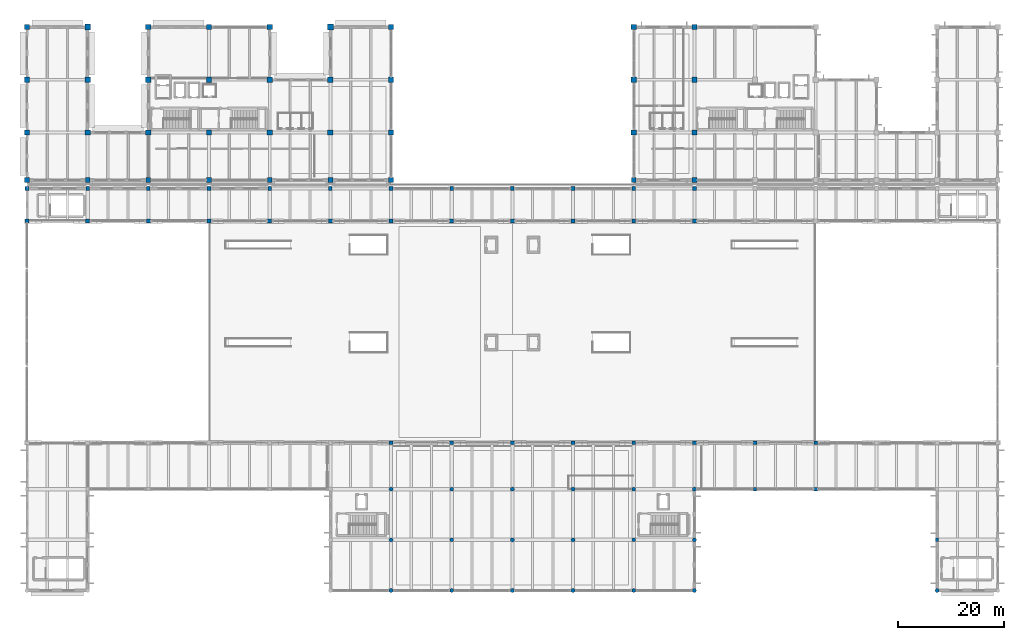
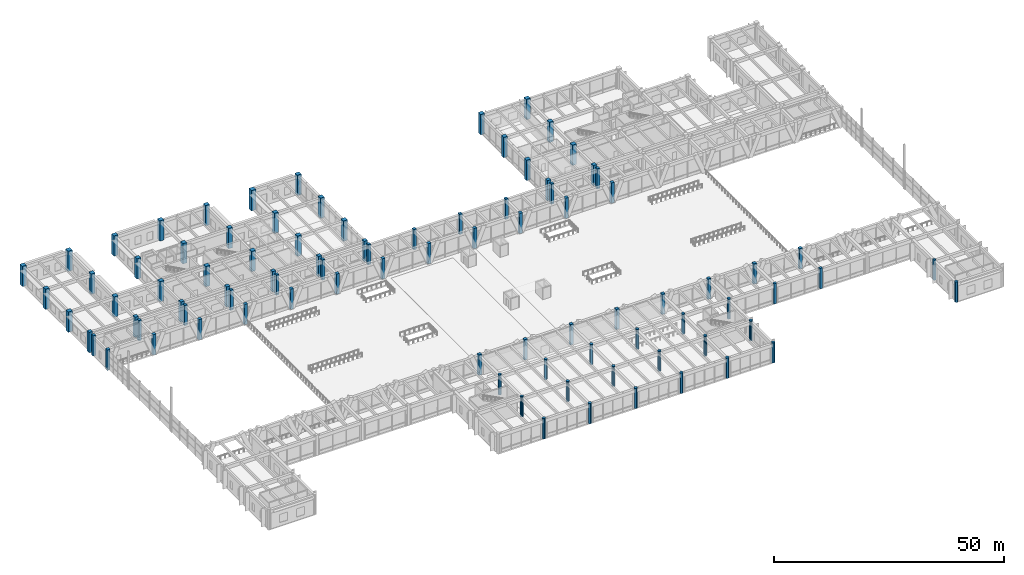
# One storey, part 3 of 148: 90 columns.
"""IFC4 building model written with IfcOpenShell, lengths in metres."""

from ifc_helpers import new_model, si_unit, direction, frame, origin, origin_2d, place, context, subcontext, project, spatial, rectangle, circle, extrude, material, material_profile, profile_set, type_object, element, save


model = new_model("IFC4")

# Units and contexts
model_context = context("Model", 3, precision=1e-05, world=origin(), true_north=direction((0.0, 1.0)))
body_context = subcontext(model_context, "Body", "Model", "MODEL_VIEW")
ifc_project = project(units=[si_unit("LENGTHUNIT", "METRE"), si_unit("AREAUNIT", "SQUARE_METRE"), si_unit("VOLUMEUNIT", "CUBIC_METRE"), si_unit("PLANEANGLEUNIT", "RADIAN"), si_unit("MASSUNIT", "GRAM", prefix="KILO")], contexts=[model_context])

# Site, building, storey
site_placement = place(None, origin())
site = spatial("IfcSite", under=ifc_project, at=site_placement, CompositionType="ELEMENT")
building_placement = place(site_placement, origin())
building = spatial("IfcBuilding", under=site, at=building_placement, Name="Ologun Quay Terminus", CompositionType="ELEMENT")
storey_placement = place(building_placement, frame((0.0, 0.0, 8.39990234375)))
storey = spatial("IfcBuildingStorey", under=building, at=storey_placement, Name="L02", CompositionType="ELEMENT", Elevation=8.39990234375)

# Columns
ifc_material_1 = material(Name="Concrete C45/55", Category="concrete")
ifc_material_profile_1 = material_profile(ifc_material_1, rectangle(XDim=1.10009765625, YDim=1.10009765625, at=origin_2d()), Name="RC 1100x1100")
ifc_profile_set_1 = profile_set([ifc_material_profile_1], Name="Concrete C45/55")
column_type_1 = type_object("IfcColumnType", Name="Courtyard Wing Lower Column 1100x1100", PredefinedType="COLUMN", material=ifc_profile_set_1)
for number, where, z_axis, x_axis, name in (
    (1, (11.5, 114.800048828125, 0.0), (0.0, 0.0, 1.0), (1.0, 0.0, 0.0), "C1 Column 2/K L02"),
    (2, (57.5, 114.800048828125, 0.0), (0.0, 0.0, 1.0), (1.0, 0.0, 0.0), "C1 Column 6/K L02"),
):
    element("IfcColumn", number, at=place(storey_placement, frame(where, z_axis=z_axis, x_axis=x_axis)), inside=storey, type_object=column_type_1, Name=name, PredefinedType="COLUMN", context=body_context, shape_type="SweptSolid", body=[
        extrude(rectangle(XDim=1.10009765625, YDim=1.10009765625, at=origin_2d()), origin(), (0.0, 0.0, 1.0), 5.400146484375),
    ])
ifc_material_2 = material(Name="Concrete C45/55", Category="concrete")
ifc_material_profile_2 = material_profile(ifc_material_2, rectangle(XDim=0.89990234375, YDim=0.89990234375, at=origin_2d()), Name="RC 900x900")
ifc_profile_set_2 = profile_set([ifc_material_profile_2], Name="Concrete C45/55")
column_type_2 = type_object("IfcColumnType", Name="Courtyard Wing Mid Column 900x900", PredefinedType="COLUMN", material=ifc_profile_set_2)
for number, where, z_axis, x_axis, name in (
    (3, (0.0, 85.800048828125, 0.0), (0.0, 0.0, 1.0), (1.0, 0.0, 0.0), "C3 Column 1/G2 L02"),
    (4, (11.5, 85.800048828125, 0.0), (0.0, 0.0, 1.0), (1.0, 0.0, 0.0), "C3 Column 2/G2 L02"),
    (5, (23.0, 85.800048828125, 0.0), (0.0, 0.0, 1.0), (1.0, 0.0, 0.0), "C3 Column 3/G2 L02"),
    (6, (34.5, 85.800048828125, 0.0), (0.0, 0.0, 1.0), (1.0, 0.0, 0.0), "C3 Column 4/G2 L02"),
    (7, (46.0, 85.800048828125, 0.0), (0.0, 0.0, 1.0), (1.0, 0.0, 0.0), "C3 Column 5/G2 L02"),
    (8, (57.5, 85.800048828125, 0.0), (0.0, 0.0, 1.0), (1.0, 0.0, 0.0), "C3 Column 6/G2 L02"),
    (9, (69.0, 85.800048828125, 0.0), (0.0, 0.0, 1.0), (1.0, 0.0, 0.0), "C3 Column 7/G2 L02"),
    (10, (115.0, 85.800048828125, 0.0), (0.0, 0.0, 1.0), (1.0, 0.0, 0.0), "C3 Column 11/G2 L02"),
    (11, (126.5, 85.800048828125, 0.0), (0.0, 0.0, 1.0), (1.0, 0.0, 0.0), "C3 Column 12/G2 L02"),
):
    element("IfcColumn", number, at=place(storey_placement, frame(where, z_axis=z_axis, x_axis=x_axis)), inside=storey, type_object=column_type_2, Name=name, PredefinedType="COLUMN", context=body_context, shape_type="SweptSolid", body=[
        extrude(rectangle(XDim=0.89990234375, YDim=0.89990234375, at=origin_2d()), origin(), (0.0, 0.0, 1.0), 5.400146484375),
    ])
ifc_material_3 = material(Name="Concrete C45/55", Category="concrete")
ifc_material_profile_3 = material_profile(ifc_material_3, rectangle(XDim=1.0, YDim=1.0, at=origin_2d()), Name="RC 1000x1000")
ifc_profile_set_3 = profile_set([ifc_material_profile_3], Name="Concrete C45/55")
column_type_3 = type_object("IfcColumnType", Name="Courtyard Wing Mid-Lower Column 1000x1000", PredefinedType="COLUMN", material=ifc_profile_set_3)
for number, where, z_axis, x_axis, name in (
    (12, (0.0, 94.800048828125, 0.0), (0.0, 0.0, 1.0), (1.0, 0.0, 0.0), "C2 Column 1/H L02"),
    (13, (0.0, 104.800048828125, 0.0), (0.0, 0.0, 1.0), (1.0, 0.0, 0.0), "C2 Column 1/J L02"),
    (14, (0.0, 114.800048828125, 0.0), (0.0, 0.0, 1.0), (1.0, 0.0, 0.0), "C2 Column 1/K L02"),
    (15, (11.5, 94.800048828125, 0.0), (0.0, 0.0, 1.0), (1.0, 0.0, 0.0), "C2 Column 2/H L02"),
    (16, (11.5, 104.800048828125, 0.0), (0.0, 0.0, 1.0), (1.0, 0.0, 0.0), "C2 Column 2/J L02"),
    (17, (23.0, 94.800048828125, 0.0), (0.0, 0.0, 1.0), (1.0, 0.0, 0.0), "C2 Column 3/H L02"),
    (18, (23.0, 104.800048828125, 0.0), (0.0, 0.0, 1.0), (1.0, 0.0, 0.0), "C2 Column 3/J L02"),
    (19, (23.0, 114.800048828125, 0.0), (0.0, 0.0, 1.0), (1.0, 0.0, 0.0), "C2 Column 3/K L02"),
    (20, (34.5, 94.800048828125, 0.0), (0.0, 0.0, 1.0), (1.0, 0.0, 0.0), "C2 Column 4/H L02"),
    (21, (34.5, 104.800048828125, 0.0), (0.0, 0.0, 1.0), (1.0, 0.0, 0.0), "C2 Column 4/J L02"),
    (22, (34.5, 114.800048828125, 0.0), (0.0, 0.0, 1.0), (1.0, 0.0, 0.0), "C2 Column 4/K L02"),
    (23, (46.0, 94.800048828125, 0.0), (0.0, 0.0, 1.0), (1.0, 0.0, 0.0), "C2 Column 5/H L02"),
    (24, (46.0, 104.800048828125, 0.0), (0.0, 0.0, 1.0), (1.0, 0.0, 0.0), "C2 Column 5/J L02"),
    (25, (46.0, 114.800048828125, 0.0), (0.0, 0.0, 1.0), (1.0, 0.0, 0.0), "C2 Column 5/K L02"),
    (26, (57.5, 94.800048828125, 0.0), (0.0, 0.0, 1.0), (1.0, 0.0, 0.0), "C2 Column 6/H L02"),
    (27, (57.5, 104.800048828125, 0.0), (0.0, 0.0, 1.0), (1.0, 0.0, 0.0), "C2 Column 6/J L02"),
    (28, (69.0, 94.800048828125, 0.0), (0.0, 0.0, 1.0), (1.0, 0.0, 0.0), "C2 Column 7/H L02"),
    (29, (69.0, 104.800048828125, 0.0), (0.0, 0.0, 1.0), (1.0, 0.0, 0.0), "C2 Column 7/J L02"),
    (30, (69.0, 114.800048828125, 0.0), (0.0, 0.0, 1.0), (1.0, 0.0, 0.0), "C2 Column 7/K L02"),
    (31, (115.0, 94.800048828125, 0.0), (0.0, 0.0, 1.0), (1.0, 0.0, 0.0), "C2 Column 11/H L02"),
    (32, (115.0, 104.800048828125, 0.0), (0.0, 0.0, 1.0), (1.0, 0.0, 0.0), "C2 Column 11/J L02"),
    (33, (115.0, 114.800048828125, 0.0), (0.0, 0.0, 1.0), (1.0, 0.0, 0.0), "C2 Column 11/K L02"),
    (34, (126.5, 94.800048828125, 0.0), (0.0, 0.0, 1.0), (1.0, 0.0, 0.0), "C2 Column 12/H L02"),
    (35, (126.5, 104.800048828125, 0.0), (0.0, 0.0, 1.0), (1.0, 0.0, 0.0), "C2 Column 12/J L02"),
    (36, (126.5, 114.800048828125, 0.0), (0.0, 0.0, 1.0), (1.0, 0.0, 0.0), "C2 Column 12/K L02"),
):
    element("IfcColumn", number, at=place(storey_placement, frame(where, z_axis=z_axis, x_axis=x_axis)), inside=storey, type_object=column_type_3, Name=name, PredefinedType="COLUMN", context=body_context, shape_type="SweptSolid", body=[
        extrude(rectangle(XDim=1.0, YDim=1.0, at=origin_2d()), origin(), (0.0, 0.0, 1.0), 5.400146484375),
    ])
ifc_material_4 = material(Name="Concrete C40/50", Category="concrete")
ifc_material_profile_4 = material_profile(ifc_material_4, rectangle(XDim=0.60009765625, YDim=0.60009765625, at=origin_2d()), Name="RC 600x600")
ifc_profile_set_4 = profile_set([ifc_material_profile_4], Name="Concrete C40/50")
column_type_4 = type_object("IfcColumnType", Name="Podium Retail Column 600x600", PredefinedType="COLUMN", material=ifc_profile_set_4)
for number, where, z_axis, x_axis, name in (
    (37, (138.0, 27.199951171875, 0.0), (0.0, 0.0, 1.0), (1.0, 0.0, 0.0), "C7 Column 13/D L02"),
    (38, (149.5, 27.199951171875, 0.0), (0.0, 0.0, 1.0), (1.0, 0.0, 0.0), "C7 Column 14/D L02"),
    (39, (172.5, 17.60009765625, 0.0), (0.0, 0.0, 1.0), (1.0, 0.0, 0.0), "C7 Column 16/C L02"),
):
    element("IfcColumn", number, at=place(storey_placement, frame(where, z_axis=z_axis, x_axis=x_axis)), inside=storey, type_object=column_type_4, Name=name, PredefinedType="COLUMN", context=body_context, shape_type="SweptSolid", body=[
        extrude(rectangle(XDim=0.60009765625, YDim=0.60009765625, at=origin_2d()), origin(), (0.0, 0.0, 1.0), 5.400146484375),
    ])
ifc_material_5 = material(Name="Concrete C40/50", Category="concrete")
ifc_material_profile_5 = material_profile(ifc_material_5, circle(Radius=0.375, at=origin_2d()), Name="RC D750")
ifc_profile_set_5 = profile_set([ifc_material_profile_5], Name="Concrete C40/50")
column_type_5 = type_object("IfcColumnType", Name="Promenade Colonnade Circular Column D750", PredefinedType="COLUMN", material=ifc_profile_set_5)
for number, where, z_axis, x_axis, name in (
    (40, (69.0, 8.0, 0.0), (0.0, 0.0, 1.0), (1.0, 0.0, 0.0), "C10 Column 7/B L02"),
    (41, (69.0, 17.60009765625, 0.0), (0.0, 0.0, 1.0), (1.0, 0.0, 0.0), "C10 Column 7/C L02"),
    (42, (69.0, 27.199951171875, 0.0), (0.0, 0.0, 1.0), (1.0, 0.0, 0.0), "C10 Column 7/D L02"),
    (43, (80.5, 8.0, 0.0), (0.0, 0.0, 1.0), (1.0, 0.0, 0.0), "C10 Column 8/B L02"),
    (44, (80.5, 17.60009765625, 0.0), (0.0, 0.0, 1.0), (1.0, 0.0, 0.0), "C10 Column 8/C L02"),
    (45, (80.5, 27.199951171875, 0.0), (0.0, 0.0, 1.0), (1.0, 0.0, 0.0), "C10 Column 8/D L02"),
    (46, (92.0, 8.0, 0.0), (0.0, 0.0, 1.0), (1.0, 0.0, 0.0), "C10 Column 9/B L02"),
    (47, (92.0, 17.60009765625, 0.0), (0.0, 0.0, 1.0), (1.0, 0.0, 0.0), "C10 Column 9/C L02"),
    (48, (92.0, 27.199951171875, 0.0), (0.0, 0.0, 1.0), (1.0, 0.0, 0.0), "C10 Column 9/D L02"),
    (49, (103.5, 8.0, 0.0), (0.0, 0.0, 1.0), (1.0, 0.0, 0.0), "C10 Column 10/B L02"),
    (50, (103.5, 17.60009765625, 0.0), (0.0, 0.0, 1.0), (1.0, 0.0, 0.0), "C10 Column 10/C L02"),
    (51, (103.5, 27.199951171875, 0.0), (0.0, 0.0, 1.0), (1.0, 0.0, 0.0), "C10 Column 10/D L02"),
    (52, (115.0, 8.0, 0.0), (0.0, 0.0, 1.0), (1.0, 0.0, 0.0), "C10 Column 11/B L02"),
    (53, (115.0, 17.60009765625, 0.0), (0.0, 0.0, 1.0), (1.0, 0.0, 0.0), "C10 Column 11/C L02"),
    (54, (115.0, 27.199951171875, 0.0), (0.0, 0.0, 1.0), (1.0, 0.0, 0.0), "C10 Column 11/D L02"),
    (55, (126.5, 8.0, 0.0), (0.0, 0.0, 1.0), (1.0, 0.0, 0.0), "C10 Column 12/B L02"),
    (56, (126.5, 17.60009765625, 0.0), (0.0, 0.0, 1.0), (1.0, 0.0, 0.0), "C10 Column 12/C L02"),
    (57, (126.5, 27.199951171875, 0.0), (0.0, 0.0, 1.0), (1.0, 0.0, 0.0), "C10 Column 12/D L02"),
    (58, (172.5, 8.0, 0.0), (0.0, 0.0, 1.0), (1.0, 0.0, 0.0), "C10 Column 16/B L02"),
):
    element("IfcColumn", number, at=place(storey_placement, frame(where, z_axis=z_axis, x_axis=x_axis)), inside=storey, type_object=column_type_5, Name=name, PredefinedType="COLUMN", context=body_context, shape_type="SweptSolid", body=[
        extrude(circle(Radius=0.375, at=origin_2d()), origin(), (0.0, 0.0, 1.0), 5.400146484375),
    ])
ifc_material_6 = material(Name="Concrete C45/55", Category="concrete")
ifc_material_profile_6 = material_profile(ifc_material_6, rectangle(XDim=0.75, YDim=0.75, at=origin_2d()), Name="RC 750x750")
ifc_profile_set_6 = profile_set([ifc_material_profile_6], Name="Concrete C45/55")
column_type_6 = type_object("IfcColumnType", Name="Station Arch Pier Stem 750x750", PredefinedType="COLUMN", material=ifc_profile_set_6)
for number, where, z_axis, x_axis, name in (
    (59, (0.0, 78.0, 0.0), (0.0, 0.0, 1.0), (1.0, 0.0, 0.0), "C5 Column 1/F L02"),
    (60, (11.5, 78.0, 0.0), (0.0, 0.0, 1.0), (1.0, 0.0, 0.0), "C5 Column 2/F L02"),
    (61, (23.0, 78.0, 0.0), (0.0, 0.0, 1.0), (1.0, 0.0, 0.0), "C5 Column 3/F L02"),
    (62, (34.5, 78.0, 0.0), (0.0, 0.0, 1.0), (1.0, 0.0, 0.0), "C5 Column 4/F L02"),
    (63, (46.0, 78.0, 0.0), (0.0, 0.0, 1.0), (1.0, 0.0, 0.0), "C5 Column 5/F L02"),
    (64, (57.5, 78.0, 0.0), (0.0, 0.0, 1.0), (1.0, 0.0, 0.0), "C5 Column 6/F L02"),
    (65, (69.0, 36.0, 0.0), (0.0, 0.0, 1.0), (1.0, 0.0, 0.0), "C5 Column 7/E L02"),
    (66, (69.0, 78.0, 0.0), (0.0, 0.0, 1.0), (1.0, 0.0, 0.0), "C5 Column 7/F L02"),
    (67, (80.5, 36.0, 0.0), (0.0, 0.0, 1.0), (1.0, 0.0, 0.0), "C5 Column 8/E L02"),
    (68, (80.5, 78.0, 0.0), (0.0, 0.0, 1.0), (1.0, 0.0, 0.0), "C5 Column 8/F L02"),
    (69, (92.0, 36.0, 0.0), (0.0, 0.0, 1.0), (1.0, 0.0, 0.0), "C5 Column 9/E L02"),
    (70, (92.0, 78.0, 0.0), (0.0, 0.0, 1.0), (1.0, 0.0, 0.0), "C5 Column 9/F L02"),
    (71, (103.5, 36.0, 0.0), (0.0, 0.0, 1.0), (1.0, 0.0, 0.0), "C5 Column 10/E L02"),
    (72, (103.5, 78.0, 0.0), (0.0, 0.0, 1.0), (1.0, 0.0, 0.0), "C5 Column 10/F L02"),
    (73, (115.0, 36.0, 0.0), (0.0, 0.0, 1.0), (1.0, 0.0, 0.0), "C5 Column 11/E L02"),
    (74, (115.0, 78.0, 0.0), (0.0, 0.0, 1.0), (1.0, 0.0, 0.0), "C5 Column 11/F L02"),
    (75, (126.5, 36.0, 0.0), (0.0, 0.0, 1.0), (1.0, 0.0, 0.0), "C5 Column 12/E L02"),
    (76, (126.5, 78.0, 0.0), (0.0, 0.0, 1.0), (1.0, 0.0, 0.0), "C5 Column 12/F L02"),
    (77, (138.0, 36.0, 0.0), (0.0, 0.0, 1.0), (1.0, 0.0, 0.0), "C5 Column 13/E L02"),
    (78, (149.5, 36.0, 0.0), (0.0, 0.0, 1.0), (1.0, 0.0, 0.0), "C5 Column 14/E L02"),
):
    element("IfcColumn", number, at=place(storey_placement, frame(where, z_axis=z_axis, x_axis=x_axis)), inside=storey, type_object=column_type_6, Name=name, PredefinedType="COLUMN", context=body_context, shape_type="SweptSolid", body=[
        extrude(rectangle(XDim=0.75, YDim=0.75, at=origin_2d()), origin(), (0.0, 0.0, 1.0), 5.400146484375),
    ])
ifc_material_7 = material(Name="Concrete C40/50", Category="concrete")
ifc_material_profile_7 = material_profile(ifc_material_7, rectangle(XDim=0.699951171875, YDim=0.699951171875, at=origin_2d()), Name="RC 700x700")
ifc_profile_set_7 = profile_set([ifc_material_profile_7], Name="Concrete C40/50")
column_type_7 = type_object("IfcColumnType", Name="Station Concourse Column 700x700", PredefinedType="COLUMN", material=ifc_profile_set_7)
for number, where, z_axis, x_axis, name in (
    (79, (0.0, 84.199951171875, 0.0), (0.0, 0.0, 1.0), (1.0, 0.0, 0.0), "C6 Column 1/G1 L02"),
    (80, (11.5, 84.199951171875, 0.0), (0.0, 0.0, 1.0), (1.0, 0.0, 0.0), "C6 Column 2/G1 L02"),
    (81, (23.0, 84.199951171875, 0.0), (0.0, 0.0, 1.0), (1.0, 0.0, 0.0), "C6 Column 3/G1 L02"),
    (82, (34.5, 84.199951171875, 0.0), (0.0, 0.0, 1.0), (1.0, 0.0, 0.0), "C6 Column 4/G1 L02"),
    (83, (46.0, 84.199951171875, 0.0), (0.0, 0.0, 1.0), (1.0, 0.0, 0.0), "C6 Column 5/G1 L02"),
    (84, (57.5, 84.199951171875, 0.0), (0.0, 0.0, 1.0), (1.0, 0.0, 0.0), "C6 Column 6/G1 L02"),
    (85, (69.0, 84.199951171875, 0.0), (0.0, 0.0, 1.0), (1.0, 0.0, 0.0), "C6 Column 7/G1 L02"),
    (86, (80.5, 84.199951171875, 0.0), (0.0, 0.0, 1.0), (1.0, 0.0, 0.0), "C6 Column 8/G1 L02"),
    (87, (92.0, 84.199951171875, 0.0), (0.0, 0.0, 1.0), (1.0, 0.0, 0.0), "C6 Column 9/G1 L02"),
    (88, (103.5, 84.199951171875, 0.0), (0.0, 0.0, 1.0), (1.0, 0.0, 0.0), "C6 Column 10/G1 L02"),
    (89, (115.0, 84.199951171875, 0.0), (0.0, 0.0, 1.0), (1.0, 0.0, 0.0), "C6 Column 11/G1 L02"),
    (90, (126.5, 84.199951171875, 0.0), (0.0, 0.0, 1.0), (1.0, 0.0, 0.0), "C6 Column 12/G1 L02"),
):
    element("IfcColumn", number, at=place(storey_placement, frame(where, z_axis=z_axis, x_axis=x_axis)), inside=storey, type_object=column_type_7, Name=name, PredefinedType="COLUMN", context=body_context, shape_type="SweptSolid", body=[
        extrude(rectangle(XDim=0.699951171875, YDim=0.699951171875, at=origin_2d()), origin(), (0.0, 0.0, 1.0), 5.400146484375),
    ])

save(model, "model.ifc")
